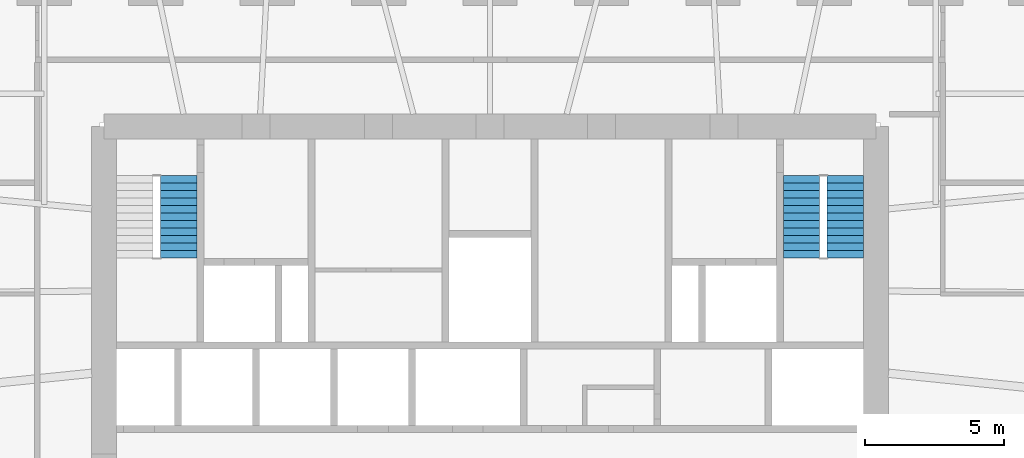
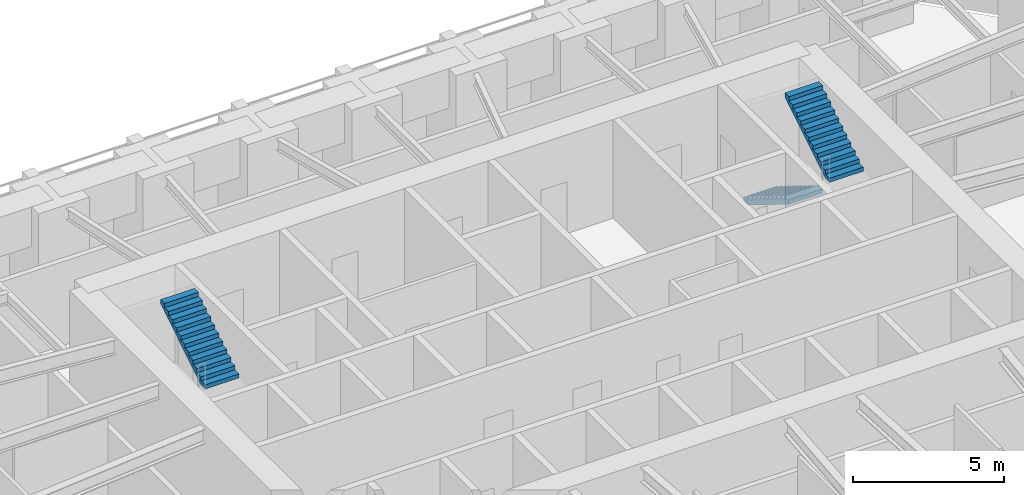
# One storey, part 15 of 17: 3 stair flights, 2 elements without a shape of their own.
"""IFC4 building model written with IfcOpenShell, lengths in metres."""

from ifc_helpers import new_model, si_unit, direction, frame, origin, place, context, subcontext, project, spatial, polyline, outline, extrude, material, type_object, element, aggregate, save


model = new_model("IFC4")

# Units and contexts
model_context = context("Model", 3, precision=1e-05, world=origin(), true_north=direction((0.0, 1.0)))
body_context = subcontext(model_context, "Body", "Model", "MODEL_VIEW")
ifc_project = project(units=[si_unit("LENGTHUNIT", "METRE"), si_unit("AREAUNIT", "SQUARE_METRE"), si_unit("VOLUMEUNIT", "CUBIC_METRE"), si_unit("PLANEANGLEUNIT", "RADIAN"), si_unit("MASSUNIT", "GRAM", prefix="KILO")], contexts=[model_context])

# Site, building, storey
site_placement = place(None, origin())
site = spatial("IfcSite", under=ifc_project, at=site_placement, CompositionType="ELEMENT")
building_placement = place(site_placement, origin())
building = spatial("IfcBuilding", under=site, at=building_placement, Name="Isbrekke Arena Tower", CompositionType="ELEMENT")
storey_placement = place(building_placement, frame((0.0, 0.0, 48.0)))
storey = spatial("IfcBuildingStorey", under=building, at=storey_placement, Name="L09", CompositionType="ELEMENT", Elevation=48.0)

# Stair, stair flight
ifc_material_1 = material(Name="Concrete B45 (C45/55) precast", Category="concrete")
stair_type = type_object("IfcStairType", Name="ST40 STAIR 1300 WIDE, 24 RISERS 167", PredefinedType="HALF_TURN_STAIR", material=ifc_material_1)
stair_1_placement = place(storey_placement, origin())
stair_1 = element("IfcStair", 1, at=stair_1_placement, inside=storey, type_object=stair_type, Name="ST1 stair L09", PredefinedType="HALF_TURN_STAIR")
ifc_material_2 = material(Name="Concrete B45 (C45/55) precast", Category="concrete")
stair_flight_type = type_object("IfcStairFlightType", Name="SF 1300 FLIGHT", PredefinedType="STRAIGHT", material=ifc_material_2)
stair_flight_1_placement = place(storey_placement, frame((-11.175048828125, 19.1298828125, 2.0), z_axis=(0.0, 0.0, 1.0), x_axis=(0.0, 1.0, 0.0)))
stair_flight_1 = element("IfcStairFlight", 2, at=stair_flight_1_placement, type_object=stair_flight_type, Name="ST1 flight 2", NumberOfRisers=12, NumberOfTreads=11, PredefinedType="STRAIGHT", RiserHeight=0.166666667, TreadLength=0.27, context=body_context, shape_type="SweptSolid", body=[
    extrude(outline(polyline([(0.0, 0.0), (0.0, 0.166748046875), (0.27001953125, 0.166748046875), (0.27001953125, 0.333251953125), (0.5400390625, 0.333251953125), (0.5400390625, 0.5), (0.81005859375, 0.5), (0.81005859375, 0.666748046875), (1.080078125, 0.666748046875), (1.080078125, 0.833251953125), (1.35009765625, 0.833251953125), (1.35009765625, 1.0), (1.6201171875, 1.0), (1.6201171875, 1.166748046875), (1.889892578125, 1.166748046875), (1.889892578125, 1.333251953125), (2.159912109375, 1.333251953125), (2.159912109375, 1.5), (2.429931640625, 1.5), (2.429931640625, 1.666748046875), (2.699951171875, 1.666748046875), (2.699951171875, 1.833251953125), (2.969970703125, 1.833251953125), (2.969970703125, 2.0), (2.969970703125, 1.6572265625), (0.285400390625, 0.0), (0.0, 0.0)])), frame((0.0, 0.64990234375, 0.0), z_axis=(0.0, -1.0, 0.0), x_axis=(1.0, 0.0, 0.0)), (0.0, 0.0, 1.0), 1.300048828125),
])
aggregate(stair_1, [stair_flight_1])

# Stair, stair flights
stair_2_placement = place(storey_placement, origin())
stair_2 = element("IfcStair", 3, at=stair_2_placement, inside=storey, type_object=stair_type, Name="ST2 stair L09", PredefinedType="HALF_TURN_STAIR")
stair_flight_2_placement = place(storey_placement, frame((11.175048828125, 22.10009765625, 0.0), z_axis=(0.0, 0.0, 1.0), x_axis=(0.0, -1.0, 0.0)))
stair_flight_2 = element("IfcStairFlight", 4, at=stair_flight_2_placement, type_object=stair_flight_type, Name="ST2 flight 1", NumberOfRisers=12, NumberOfTreads=11, PredefinedType="STRAIGHT", RiserHeight=0.166666667, TreadLength=0.27, context=body_context, shape_type="SweptSolid", body=[
    extrude(outline(polyline([(0.0, 0.0), (0.0, 0.166748046875), (0.27001953125, 0.166748046875), (0.27001953125, 0.333251953125), (0.5400390625, 0.333251953125), (0.5400390625, 0.5), (0.81005859375, 0.5), (0.81005859375, 0.666748046875), (1.080078125, 0.666748046875), (1.080078125, 0.833251953125), (1.35009765625, 0.833251953125), (1.35009765625, 1.0), (1.6201171875, 1.0), (1.6201171875, 1.166748046875), (1.889892578125, 1.166748046875), (1.889892578125, 1.333251953125), (2.159912109375, 1.333251953125), (2.159912109375, 1.5), (2.429931640625, 1.5), (2.429931640625, 1.666748046875), (2.699951171875, 1.666748046875), (2.699951171875, 1.833251953125), (2.969970703125, 1.833251953125), (2.969970703125, 2.0), (2.969970703125, 1.6572265625), (0.285400390625, 0.0), (0.0, 0.0)])), frame((0.0, 0.64990234375, 0.0), z_axis=(0.0, -1.0, 0.0), x_axis=(1.0, 0.0, 0.0)), (0.0, 0.0, 1.0), 1.300048828125),
])
stair_flight_3_placement = place(storey_placement, frame((12.75, 19.1298828125, 2.0), z_axis=(0.0, 0.0, 1.0), x_axis=(0.0, 1.0, 0.0)))
stair_flight_3 = element("IfcStairFlight", 5, at=stair_flight_3_placement, type_object=stair_flight_type, Name="ST2 flight 2", NumberOfRisers=12, NumberOfTreads=11, PredefinedType="STRAIGHT", RiserHeight=0.166666667, TreadLength=0.27, context=body_context, shape_type="SweptSolid", body=[
    extrude(outline(polyline([(0.0, 0.0), (0.0, 0.166748046875), (0.27001953125, 0.166748046875), (0.27001953125, 0.333251953125), (0.5400390625, 0.333251953125), (0.5400390625, 0.5), (0.81005859375, 0.5), (0.81005859375, 0.666748046875), (1.080078125, 0.666748046875), (1.080078125, 0.833251953125), (1.35009765625, 0.833251953125), (1.35009765625, 1.0), (1.6201171875, 1.0), (1.6201171875, 1.166748046875), (1.889892578125, 1.166748046875), (1.889892578125, 1.333251953125), (2.159912109375, 1.333251953125), (2.159912109375, 1.5), (2.429931640625, 1.5), (2.429931640625, 1.666748046875), (2.699951171875, 1.666748046875), (2.699951171875, 1.833251953125), (2.969970703125, 1.833251953125), (2.969970703125, 2.0), (2.969970703125, 1.6572265625), (0.285400390625, 0.0), (0.0, 0.0)])), frame((0.0, 0.64990234375, 0.0), z_axis=(0.0, -1.0, 0.0), x_axis=(1.0, 0.0, 0.0)), (0.0, 0.0, 1.0), 1.300048828125),
])
aggregate(stair_2, [stair_flight_2, stair_flight_3])

save(model, "model.ifc")
